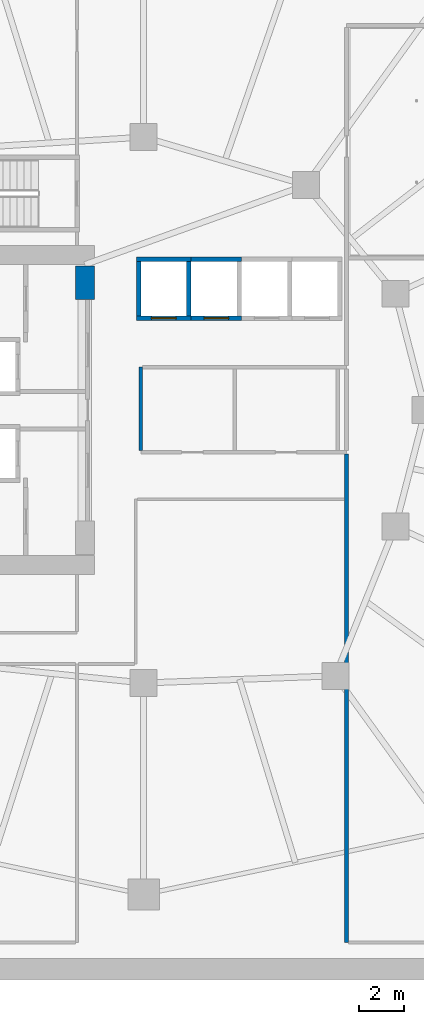
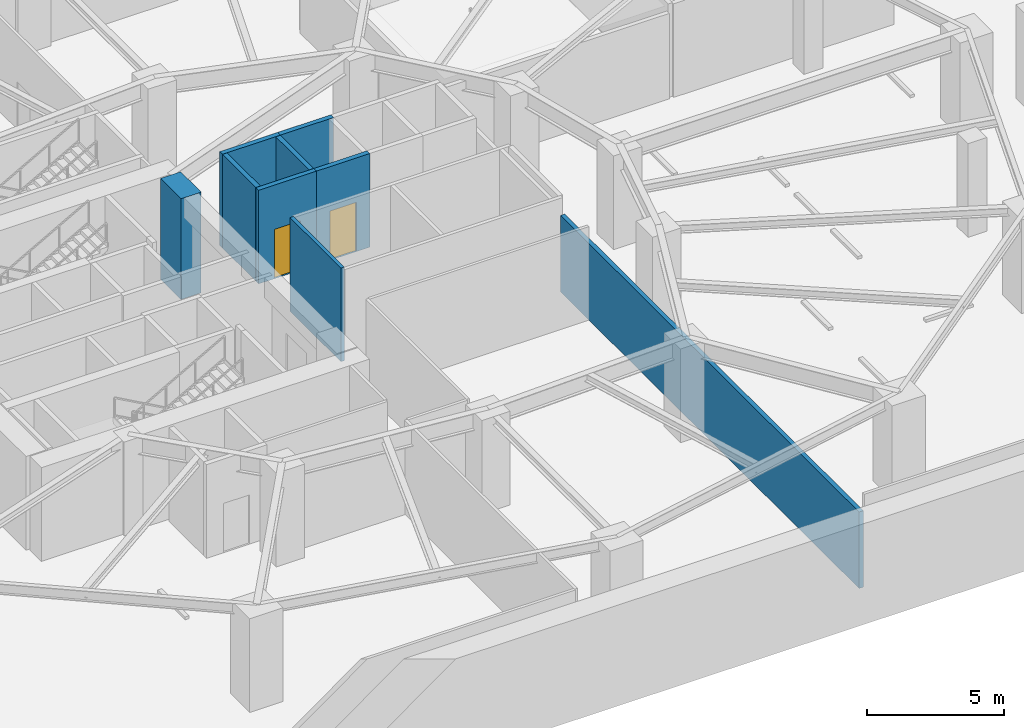
# One storey, part 5 of 16: 9 walls, 2 doors, 2 openings.
"""IFC4 building model written with IfcOpenShell, lengths in metres."""

from ifc_helpers import new_model, si_unit, direction, frame, frame_2d, origin, place, context, subcontext, project, spatial, rectangle, extrude, material, layer, layer_set, type_object, element, fill, save


model = new_model("IFC4")

# Units and contexts
model_context = context("Model", 3, precision=1e-05, world=origin(), true_north=direction((0.0, 1.0)))
body_context = subcontext(model_context, "Body", "Model", "MODEL_VIEW")
ifc_project = project(units=[si_unit("LENGTHUNIT", "METRE"), si_unit("AREAUNIT", "SQUARE_METRE"), si_unit("VOLUMEUNIT", "CUBIC_METRE"), si_unit("PLANEANGLEUNIT", "RADIAN"), si_unit("MASSUNIT", "GRAM", prefix="KILO")], contexts=[model_context])

# Site, building, storey
site_placement = place(None, origin())
site = spatial("IfcSite", under=ifc_project, at=site_placement, CompositionType="ELEMENT")
building_placement = place(site_placement, origin())
building = spatial("IfcBuilding", under=site, at=building_placement, Name="Kolvaren Gate Tower and Convention Centre", CompositionType="ELEMENT")
storey_placement = place(building_placement, frame((0.0, 0.0, -9.0)))
storey = spatial("IfcBuildingStorey", under=building, at=storey_placement, Name="B2", CompositionType="ELEMENT", Elevation=-9.0)

# Walls
ifc_material_1 = material(Name="Autoclaved Aerated Masonry Blockwork Class 4 (4.0 MPa)", Category="masonry")
ifc_layer_1 = layer(ifc_material_1, 0.179931640625)
ifc_layer_set_1 = layer_set([ifc_layer_1], Name="Autoclaved Aerated Masonry Blockwork Class 4 (4.0 MPa)")
wall_type_1 = type_object("IfcWallType", Name="ARCH-WL-COMP-180", PredefinedType="SOLIDWALL", material=ifc_layer_set_1)
wall_1_placement = place(storey_placement, frame((39.199951171875, 3.199951171875, 0.0), z_axis=(0.0, 0.0, 1.0), x_axis=(0.0, 1.0, 0.0)))
element("IfcWall", 1, at=wall_1_placement, inside=storey, type_object=wall_type_1, Name="Interior Partition WL-B2-INT-023", PredefinedType="SOLIDWALL", context=body_context, shape_type="SweptSolid", body=[
    extrude(rectangle(XDim=21.843017578125, YDim=0.179931640625, at=frame_2d((10.92138671875, 0.0))), origin(), (0.0, 0.0, 1.0), 3.4140625),
])
ifc_layer_2 = layer(ifc_material_1, 0.199951171875)
ifc_layer_set_2 = layer_set([ifc_layer_2], Name="Autoclaved Aerated Masonry Blockwork Class 4 (4.0 MPa)")
wall_type_2 = type_object("IfcWallType", Name="ARCH-WL-SHAFT-200", PredefinedType="SOLIDWALL", material=ifc_layer_set_2)
wall_2_placement = place(storey_placement, frame((29.800048828125, 33.75, 0.0), z_axis=(0.0, 0.0, 1.0), x_axis=(1.0, 0.0, 0.0)))
element("IfcWall", 2, at=wall_2_placement, inside=storey, type_object=wall_type_2, Name="Elevator PL-01 B2 Fire Shaft Wall N", PredefinedType="SOLIDWALL", context=body_context, shape_type="SweptSolid", body=[
    extrude(rectangle(XDim=2.449951171875, YDim=0.199951171875, at=frame_2d((1.22509765625, 0.0))), origin(), (0.0, 0.0, 1.0), 4.179931640625),
])

# Wall, opening, door
wall_3_placement = place(storey_placement, frame((29.800048828125, 31.10009765625, 0.0), z_axis=(0.0, 0.0, 1.0), x_axis=(1.0, 0.0, 0.0)))
wall_3 = element("IfcWall", 3, at=wall_3_placement, inside=storey, type_object=wall_type_2, Name="Elevator PL-01 B2 Fire Shaft Wall S", PredefinedType="SOLIDWALL", context=body_context, shape_type="SweptSolid", body=[
    extrude(rectangle(XDim=2.449951171875, YDim=0.199951171875, at=frame_2d((1.22509765625, 0.0))), origin(), (0.0, 0.0, 1.0), 4.179931640625),
])
opening_1_placement = place(wall_3_placement, frame((0.675048828125, 0.0, 0.0)))
opening_1 = element("IfcOpeningElement", 4, at=opening_1_placement, cuts=wall_3, Name="Opening LD", PredefinedType="OPENING", context=body_context, shape_type="SweptSolid", body=[
    extrude(rectangle(XDim=1.10009765625, YDim=2.199951171875, at=frame_2d((0.550048828125, 1.10009765625))), frame((0.0, 0.10986328125, 0.0), z_axis=(0.0, -1.0, 0.0), x_axis=(1.0, 0.0, 0.0)), (0.0, 0.0, 1.0), 0.219970703125),
])
ifc_material_2 = material(Name="Brushed Stainless Steel Grade 316L", Category="steel")
door_type = type_object("IfcDoorType", Name="ARCH-DR-LIFT-1100", OperationType="SLIDING_TO_LEFT", PredefinedType="DOOR", material=ifc_material_2)
door_1_placement = place(opening_1_placement, origin())
door_1 = element("IfcDoor", 5, at=door_1_placement, inside=storey, type_object=door_type, Name="Elevator PL-01 B2 Sliding Landing Door", OperationType="SLIDING_TO_LEFT", OverallHeight=2.199951171875, OverallWidth=1.10009765625, PredefinedType="DOOR", context=body_context, shape_type="SweptSolid", body=[
    extrude(rectangle(XDim=1.10009765625, YDim=2.199951171875, at=frame_2d((0.550048828125, 1.10009765625))), frame((0.0, 0.02490234375, 0.0), z_axis=(0.0, -1.0, 0.0), x_axis=(1.0, 0.0, 0.0)), (0.0, 0.0, 1.0), 0.050048828125),
])
fill(opening_1, door_1)

# Walls
for number, where, z_axis, x_axis, name in (
    (6, (29.89990234375, 31.2099609375, 0.0), (0.0, 0.0, 1.0), (0.0, 1.0, 0.0), "Elevator PL-01 B2 Fire Shaft Wall W"),
    (7, (32.14990234375, 31.2099609375, 0.0), (0.0, 0.0, 1.0), (0.0, 1.0, 0.0), "Elevator PL-01 B2 Fire Shaft Wall E"),
):
    element("IfcWall", number, at=place(storey_placement, frame(where, z_axis=z_axis, x_axis=x_axis)), inside=storey, type_object=wall_type_2, Name=name, PredefinedType="SOLIDWALL", context=body_context, shape_type="SweptSolid", body=[
        extrude(rectangle(XDim=2.429931640625, YDim=0.199951171875, at=frame_2d((1.21484375, 0.0))), origin(), (0.0, 0.0, 1.0), 4.179931640625),
    ])
wall_4_placement = place(storey_placement, frame((32.25, 33.75, 0.0), z_axis=(0.0, 0.0, 1.0), x_axis=(1.0, 0.0, 0.0)))
element("IfcWall", 8, at=wall_4_placement, inside=storey, type_object=wall_type_2, Name="Elevator PL-02 B2 Fire Shaft Wall N", PredefinedType="SOLIDWALL", context=body_context, shape_type="SweptSolid", body=[
    extrude(rectangle(XDim=2.25, YDim=0.199951171875, at=frame_2d((1.125, 0.0))), origin(), (0.0, 0.0, 1.0), 4.179931640625),
])

# Wall, opening, door
wall_5_placement = place(storey_placement, frame((32.25, 31.10009765625, 0.0), z_axis=(0.0, 0.0, 1.0), x_axis=(1.0, 0.0, 0.0)))
wall_5 = element("IfcWall", 9, at=wall_5_placement, inside=storey, type_object=wall_type_2, Name="Elevator PL-02 B2 Fire Shaft Wall S", PredefinedType="SOLIDWALL", context=body_context, shape_type="SweptSolid", body=[
    extrude(rectangle(XDim=2.25, YDim=0.199951171875, at=frame_2d((1.125, 0.0))), origin(), (0.0, 0.0, 1.0), 4.179931640625),
])
opening_2_placement = place(wall_5_placement, frame((0.574951171875, 0.0, 0.0)))
opening_2 = element("IfcOpeningElement", 10, at=opening_2_placement, cuts=wall_5, Name="Opening LD", PredefinedType="OPENING", context=body_context, shape_type="SweptSolid", body=[
    extrude(rectangle(XDim=1.10009765625, YDim=2.199951171875, at=frame_2d((0.550048828125, 1.10009765625))), frame((0.0, 0.10986328125, 0.0), z_axis=(0.0, -1.0, 0.0), x_axis=(1.0, 0.0, 0.0)), (0.0, 0.0, 1.0), 0.219970703125),
])
door_2_placement = place(opening_2_placement, origin())
door_2 = element("IfcDoor", 11, at=door_2_placement, inside=storey, type_object=door_type, Name="Elevator PL-02 B2 Sliding Landing Door", OperationType="SLIDING_TO_LEFT", OverallHeight=2.199951171875, OverallWidth=1.10009765625, PredefinedType="DOOR", context=body_context, shape_type="SweptSolid", body=[
    extrude(rectangle(XDim=1.10009765625, YDim=2.199951171875, at=frame_2d((0.550048828125, 1.10009765625))), frame((0.0, 0.02490234375, 0.0), z_axis=(0.0, -1.0, 0.0), x_axis=(1.0, 0.0, 0.0)), (0.0, 0.0, 1.0), 0.050048828125),
])
fill(opening_2, door_2)

# Walls
ifc_material_3 = material(Name="Moisture-Resistant Cement-Board Acoustic Partition", Category="gypsum")
ifc_layer_3 = layer(ifc_material_3, 0.14990234375)
ifc_layer_set_3 = layer_set([ifc_layer_3], Name="Moisture-Resistant Cement-Board Acoustic Partition")
wall_type_3 = type_object("IfcWallType", Name="ARCH-WL-WET-150", PredefinedType="PARTITIONING", material=ifc_layer_set_3)
wall_6_placement = place(storey_placement, frame((30.0, 25.197021484375, 0.0), z_axis=(0.0, 0.0, 1.0), x_axis=(0.0, 1.0, 0.0)))
element("IfcWall", 12, at=wall_6_placement, inside=storey, type_object=wall_type_3, Name="Interior Partition WL-B2-INT-010", PredefinedType="PARTITIONING", context=body_context, shape_type="SweptSolid", body=[
    extrude(rectangle(XDim=3.722900390625, YDim=0.14990234375, at=frame_2d((1.861328125, 0.0))), origin(), (0.0, 0.0, 1.0), 4.179931640625),
])
ifc_material_4 = material(Name="Concrete C70/85", Category="concrete")
ifc_layer_4 = layer(ifc_material_4, 0.85009765625)
ifc_layer_set_4 = layer_set([ifc_layer_4], Name="Concrete C70/85")
wall_type_4 = type_object("IfcWallType", Name="STR-WL-CORE-850", PredefinedType="SHEAR", material=ifc_layer_set_4)
wall_7_placement = place(storey_placement, frame((27.5, 31.949951171875, -0.320068359375), z_axis=(0.0, 0.0, 1.0), x_axis=(0.0, 1.0, 0.0)))
element("IfcWall", 13, at=wall_7_placement, inside=storey, type_object=wall_type_4, Name="Tower B2 Offset Core Shear Wall EN", PredefinedType="SHEAR", context=body_context, shape_type="SweptSolid", body=[
    extrude(rectangle(XDim=1.5, YDim=0.85009765625, at=frame_2d((0.75, 0.0))), origin(), (0.0, 0.0, 1.0), 4.5),
])

save(model, "model.ifc")
